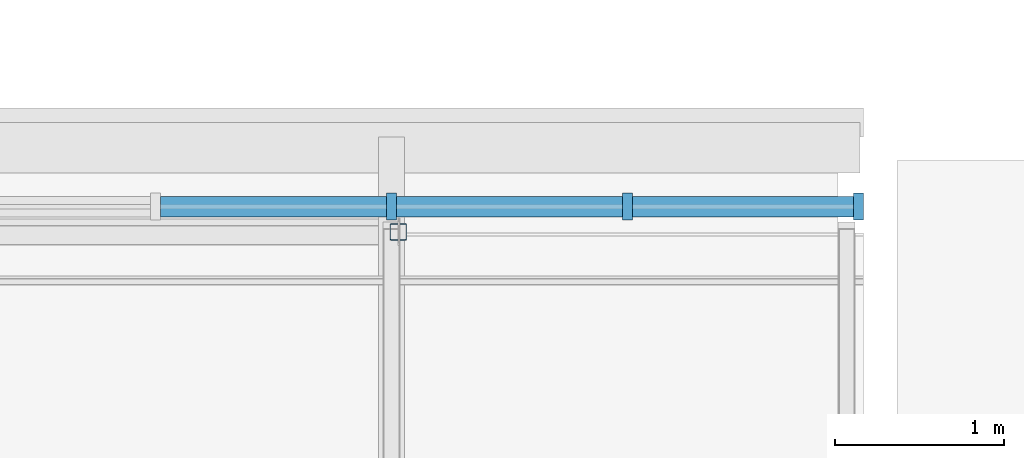
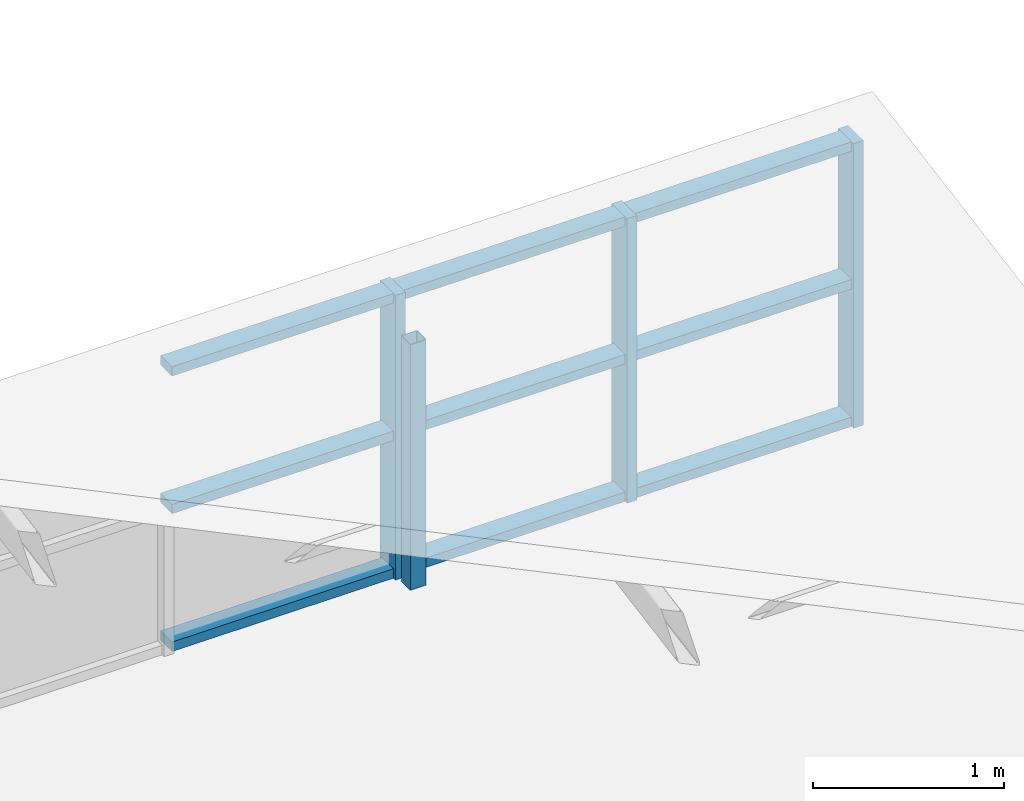
# One storey, part 16 of 42: 13 members, 1 element without a shape of its own.
"""IFC4 building model written with IfcOpenShell, lengths in metres."""

from ifc_helpers import new_model, si_unit, direction, frame, origin, origin_2d, place, context, subcontext, project, spatial, rectangle, hollow_rectangle, extrude, material, layer, layer_set, material_profile, profile_set, type_object, element, aggregate, save


model = new_model("IFC4")

# Units and contexts
model_context = context("Model", 3, precision=1e-05, world=origin(), true_north=direction((0.0, 1.0)))
body_context = subcontext(model_context, "Body", "Model", "MODEL_VIEW")
ifc_project = project(units=[si_unit("LENGTHUNIT", "METRE"), si_unit("AREAUNIT", "SQUARE_METRE"), si_unit("VOLUMEUNIT", "CUBIC_METRE"), si_unit("PLANEANGLEUNIT", "RADIAN"), si_unit("MASSUNIT", "GRAM", prefix="KILO")], contexts=[model_context])

# Site, building, storey
site_placement = place(None, origin())
site = spatial("IfcSite", under=ifc_project, at=site_placement, CompositionType="ELEMENT")
building_placement = place(site_placement, origin())
building = spatial("IfcBuilding", under=site, at=building_placement, Name="Ardhachandra Cancer Care Centre", CompositionType="ELEMENT")
storey_placement = place(building_placement, frame((0.0, 0.0, 22.5)))
storey = spatial("IfcBuildingStorey", under=building, at=storey_placement, Name="L05", CompositionType="ELEMENT", Elevation=22.5)

# Curtain wall, members
ifc_material_1 = material(Name="Aluminium extrusion", Category="aluminium")
ifc_layer = layer(ifc_material_1, 0.14990234375)
ifc_layer_set = layer_set([ifc_layer], Name="Aluminium extrusion")
curtain_wall_type = type_object("IfcCurtainWallType", Name="Curtain wall run", PredefinedType="NOTDEFINED", material=ifc_layer_set)
curtain_wall_placement = place(storey_placement, origin())
curtain_wall = element("IfcCurtainWall", 1, at=curtain_wall_placement, inside=storey, type_object=curtain_wall_type, Name="Curtain wall L05 n/0019200_0096100", PredefinedType="NOTDEFINED")
ifc_material_2 = material(Name="Aluminium extrusion", Category="aluminium")
ifc_material_profile_1 = material_profile(ifc_material_2, rectangle(XDim=0.159912109375, YDim=0.06005859375, at=origin_2d()), Name="Curtain wall mullion 60 x 160")
ifc_profile_set_1 = profile_set([ifc_material_profile_1], Name="Aluminium extrusion")
member_type_1 = type_object("IfcMemberType", Name="Curtain wall mullion 60 x 160", PredefinedType="MULLION", material=ifc_profile_set_1)
member_1_placement = place(storey_placement, frame((33.199951171875, 96.10009765625, 0.0), z_axis=(0.0, 0.0, 1.0), x_axis=(0.0, 1.0, 0.0)))
member_1 = element("IfcMember", 2, at=member_1_placement, type_object=member_type_1, Name="CW mullion 11", PredefinedType="MULLION", context=body_context, shape_type="SweptSolid", body=[
    extrude(rectangle(XDim=0.159912109375, YDim=0.06005859375, at=origin_2d()), origin(), (0.0, 0.0, 1.0), 1.820068359375),
])
member_2_placement = place(storey_placement, frame((34.60009765625, 96.10009765625, 0.0), z_axis=(0.0, 0.0, 1.0), x_axis=(0.0, 1.0, 0.0)))
member_2 = element("IfcMember", 3, at=member_2_placement, type_object=member_type_1, Name="CW mullion 12", PredefinedType="MULLION", context=body_context, shape_type="SweptSolid", body=[
    extrude(rectangle(XDim=0.159912109375, YDim=0.06005859375, at=origin_2d()), origin(), (0.0, 0.0, 1.0), 1.820068359375),
])
member_3_placement = place(storey_placement, frame((35.969970703125, 96.10009765625, 0.0), z_axis=(0.0, 0.0, 1.0), x_axis=(0.0, 1.0, 0.0)))
member_3 = element("IfcMember", 4, at=member_3_placement, type_object=member_type_1, Name="CW mullion 13", PredefinedType="MULLION", context=body_context, shape_type="SweptSolid", body=[
    extrude(rectangle(XDim=0.159912109375, YDim=0.06005859375, at=origin_2d()), origin(), (0.0, 0.0, 1.0), 1.820068359375),
])
ifc_material_3 = material(Name="Aluminium extrusion", Category="aluminium")
ifc_material_profile_2 = material_profile(ifc_material_3, rectangle(XDim=0.1201171875, YDim=0.06005859375, at=origin_2d()), Name="Curtain wall transom 60 x 120")
ifc_profile_set_2 = profile_set([ifc_material_profile_2], Name="Aluminium extrusion")
member_type_2 = type_object("IfcMemberType", Name="Curtain wall transom 60 x 120", PredefinedType="USERDEFINED", material=ifc_profile_set_2)
member_4_placement = place(storey_placement, frame((31.830078125, 96.10009765625, 0.030029296875), z_axis=(1.0, 0.0, 0.0), x_axis=(0.0, 1.0, 0.0)))
member_4 = element("IfcMember", 5, at=member_4_placement, type_object=member_type_2, Name="CW transom 10.1", ObjectType="TRANSOM", PredefinedType="USERDEFINED", context=body_context, shape_type="SweptSolid", body=[
    extrude(rectangle(XDim=0.1201171875, YDim=0.06005859375, at=origin_2d()), origin(), (0.0, 0.0, 1.0), 1.33984375),
])
member_5_placement = place(storey_placement, frame((31.830078125, 96.10009765625, 0.909912109375), z_axis=(1.0, 0.0, 0.0), x_axis=(0.0, 1.0, 0.0)))
member_5 = element("IfcMember", 6, at=member_5_placement, type_object=member_type_2, Name="CW transom 10.2", ObjectType="TRANSOM", PredefinedType="USERDEFINED", context=body_context, shape_type="SweptSolid", body=[
    extrude(rectangle(XDim=0.1201171875, YDim=0.06005859375, at=origin_2d()), origin(), (0.0, 0.0, 1.0), 1.33984375),
])
member_6_placement = place(storey_placement, frame((31.830078125, 96.10009765625, 1.7900390625), z_axis=(1.0, 0.0, 0.0), x_axis=(0.0, 1.0, 0.0)))
member_6 = element("IfcMember", 7, at=member_6_placement, type_object=member_type_2, Name="CW transom 10.3", ObjectType="TRANSOM", PredefinedType="USERDEFINED", context=body_context, shape_type="SweptSolid", body=[
    extrude(rectangle(XDim=0.1201171875, YDim=0.06005859375, at=origin_2d()), origin(), (0.0, 0.0, 1.0), 1.33984375),
])
member_7_placement = place(storey_placement, frame((33.22998046875, 96.10009765625, 0.030029296875), z_axis=(1.0, 0.0, 0.0), x_axis=(0.0, 1.0, 0.0)))
member_7 = element("IfcMember", 8, at=member_7_placement, type_object=member_type_2, Name="CW transom 11.1", ObjectType="TRANSOM", PredefinedType="USERDEFINED", context=body_context, shape_type="SweptSolid", body=[
    extrude(rectangle(XDim=0.1201171875, YDim=0.06005859375, at=origin_2d()), origin(), (0.0, 0.0, 1.0), 1.340087890625),
])
member_8_placement = place(storey_placement, frame((33.22998046875, 96.10009765625, 0.909912109375), z_axis=(1.0, 0.0, 0.0), x_axis=(0.0, 1.0, 0.0)))
member_8 = element("IfcMember", 9, at=member_8_placement, type_object=member_type_2, Name="CW transom 11.2", ObjectType="TRANSOM", PredefinedType="USERDEFINED", context=body_context, shape_type="SweptSolid", body=[
    extrude(rectangle(XDim=0.1201171875, YDim=0.06005859375, at=origin_2d()), origin(), (0.0, 0.0, 1.0), 1.340087890625),
])
member_9_placement = place(storey_placement, frame((33.22998046875, 96.10009765625, 1.7900390625), z_axis=(1.0, 0.0, 0.0), x_axis=(0.0, 1.0, 0.0)))
member_9 = element("IfcMember", 10, at=member_9_placement, type_object=member_type_2, Name="CW transom 11.3", ObjectType="TRANSOM", PredefinedType="USERDEFINED", context=body_context, shape_type="SweptSolid", body=[
    extrude(rectangle(XDim=0.1201171875, YDim=0.06005859375, at=origin_2d()), origin(), (0.0, 0.0, 1.0), 1.340087890625),
])
member_10_placement = place(storey_placement, frame((34.6298828125, 96.10009765625, 0.030029296875), z_axis=(1.0, 0.0, 0.0), x_axis=(0.0, 1.0, 0.0)))
member_10 = element("IfcMember", 11, at=member_10_placement, type_object=member_type_2, Name="CW transom 12.1", ObjectType="TRANSOM", PredefinedType="USERDEFINED", context=body_context, shape_type="SweptSolid", body=[
    extrude(rectangle(XDim=0.1201171875, YDim=0.06005859375, at=origin_2d()), origin(), (0.0, 0.0, 1.0), 1.31005859375),
])
member_11_placement = place(storey_placement, frame((34.6298828125, 96.10009765625, 0.909912109375), z_axis=(1.0, 0.0, 0.0), x_axis=(0.0, 1.0, 0.0)))
member_11 = element("IfcMember", 12, at=member_11_placement, type_object=member_type_2, Name="CW transom 12.2", ObjectType="TRANSOM", PredefinedType="USERDEFINED", context=body_context, shape_type="SweptSolid", body=[
    extrude(rectangle(XDim=0.1201171875, YDim=0.06005859375, at=origin_2d()), origin(), (0.0, 0.0, 1.0), 1.31005859375),
])
member_12_placement = place(storey_placement, frame((34.6298828125, 96.10009765625, 1.7900390625), z_axis=(1.0, 0.0, 0.0), x_axis=(0.0, 1.0, 0.0)))
member_12 = element("IfcMember", 13, at=member_12_placement, type_object=member_type_2, Name="CW transom 12.3", ObjectType="TRANSOM", PredefinedType="USERDEFINED", context=body_context, shape_type="SweptSolid", body=[
    extrude(rectangle(XDim=0.1201171875, YDim=0.06005859375, at=origin_2d()), origin(), (0.0, 0.0, 1.0), 1.31005859375),
])
aggregate(curtain_wall, [member_1, member_2, member_3, member_4, member_5, member_6, member_7, member_8, member_9, member_10, member_11, member_12])

# Member
ifc_material_4 = material(Name="Steel E350 (IS 2062)", Category="steel")
ifc_material_profile_3 = material_profile(ifc_material_4, hollow_rectangle(XDim=0.10009765625, YDim=0.10009765625, WallThickness=0.0048828125, InnerFilletRadius=0.0048828125, OuterFilletRadius=0.010009765625, at=origin_2d()), Name="SHS 100x100x5.0")
ifc_profile_set_3 = profile_set([ifc_material_profile_3], Name="Steel E350 (IS 2062)")
member_type_3 = type_object("IfcMemberType", Name="Sawtooth ridge post SHS 100x100x5.0", PredefinedType="POST", material=ifc_profile_set_3)
member_13_placement = place(storey_placement, frame((33.239990234375, 95.949951171875, 0.0), z_axis=(0.0, 0.0, 1.0), x_axis=(1.0, 0.0, 0.0)))
element("IfcMember", 14, at=member_13_placement, inside=storey, type_object=member_type_3, Name="Ridge post NT3a.3", PredefinedType="POST", context=body_context, shape_type="SweptSolid", body=[
    extrude(hollow_rectangle(XDim=0.10009765625, YDim=0.10009765625, WallThickness=0.0048828125, InnerFilletRadius=0.0048828125, OuterFilletRadius=0.010009765625, at=origin_2d()), origin(), (0.0, 0.0, 1.0), 1.569091796875),
])

save(model, "model.ifc")
